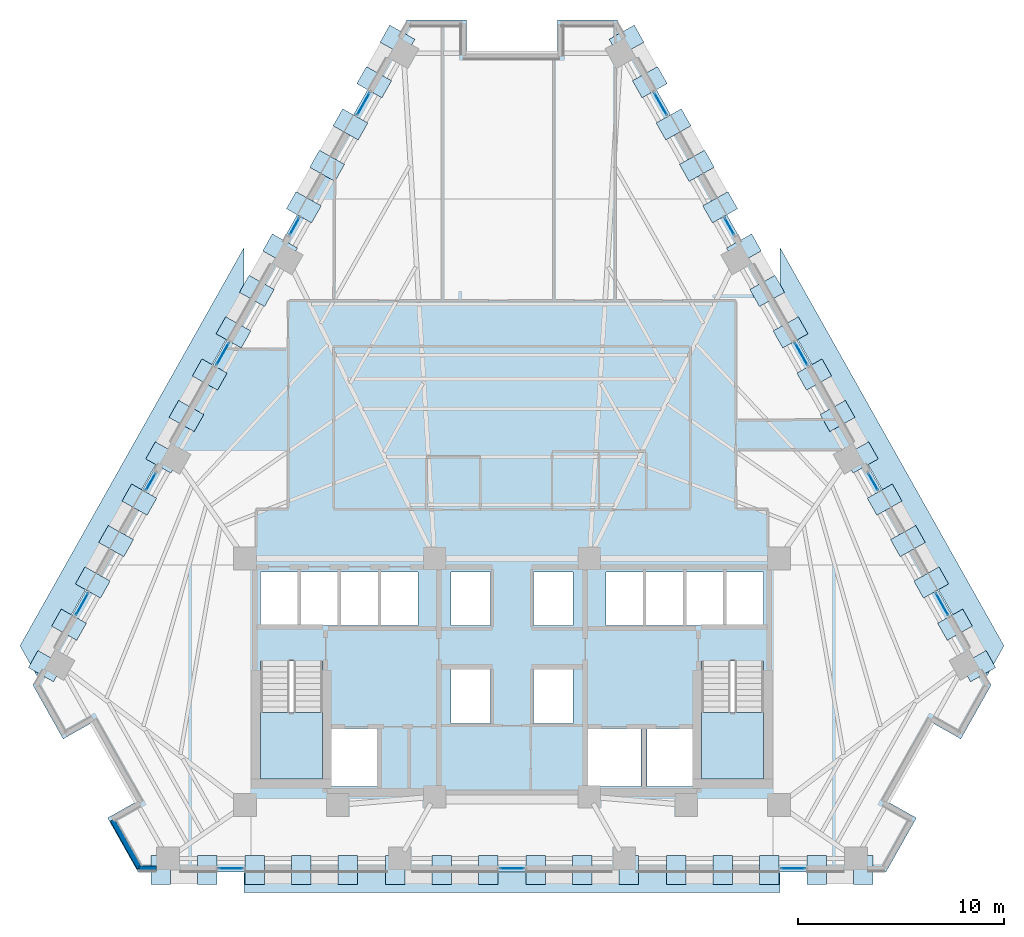
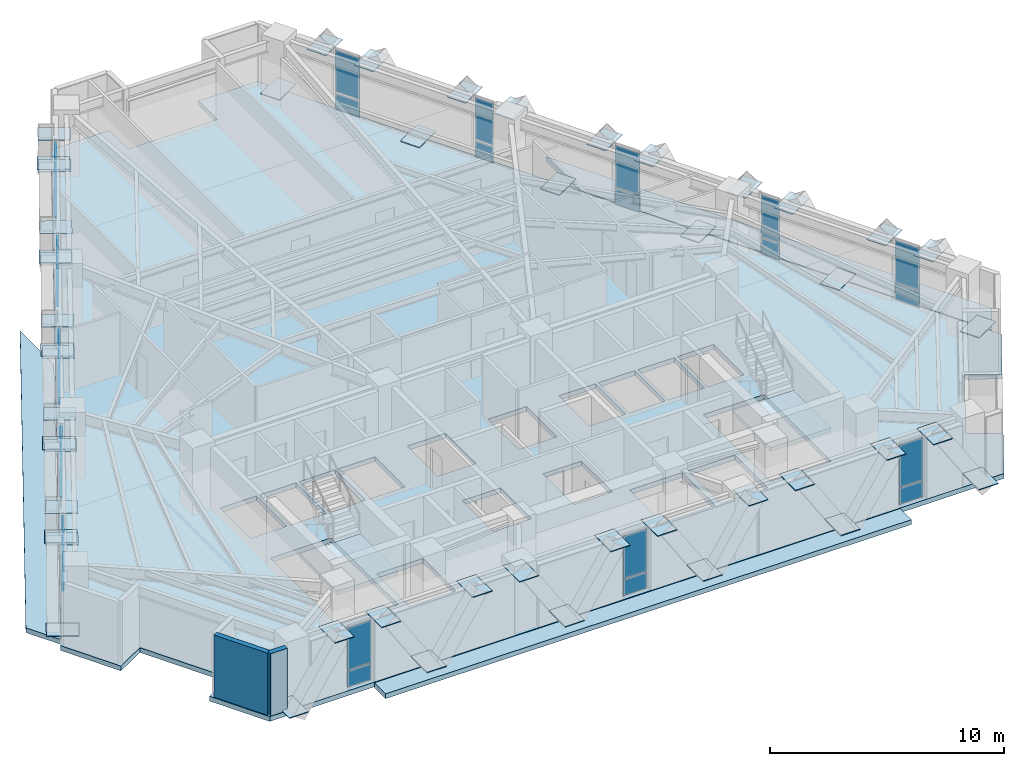
# One storey, part 6 of 13: 74 plates, 6 slabs, 2 walls, 15 elements without a shape of their own.
"""IFC4 building model written with IfcOpenShell, lengths in metres."""

from ifc_helpers import new_model, si_unit, direction, frame, frame_2d, origin, origin_2d, place, context, subcontext, project, spatial, polyline, rectangle, outline, extrude, material, layer, layer_set, type_object, element, aggregate, save


model = new_model("IFC4")

# Units and contexts
model_context = context("Model", 3, precision=1e-05, world=origin(), true_north=direction((0.0, 1.0)))
body_context = subcontext(model_context, "Body", "Model", "MODEL_VIEW")
ifc_project = project(units=[si_unit("LENGTHUNIT", "METRE"), si_unit("AREAUNIT", "SQUARE_METRE"), si_unit("VOLUMEUNIT", "CUBIC_METRE"), si_unit("PLANEANGLEUNIT", "RADIAN"), si_unit("MASSUNIT", "GRAM", prefix="KILO")], contexts=[model_context])

# Site, building, storey
site_placement = place(None, origin())
site = spatial("IfcSite", under=ifc_project, at=site_placement, CompositionType="ELEMENT")
building_placement = place(site_placement, origin())
building = spatial("IfcBuilding", under=site, at=building_placement, Name="Quenlor Broadcast Tower", CompositionType="ELEMENT")
storey_placement = place(building_placement, frame((0.0, 0.0, 76.60009765625)))
storey = spatial("IfcBuildingStorey", under=building, at=storey_placement, Name="L20", CompositionType="ELEMENT", Elevation=76.60009765625)

# Curtain wall, plates
ifc_material_1 = material(Name="Architectural Terracotta and Low-E Glazing", Category="masonry")
curtain_wall_type = type_object("IfcCurtainWallType", Name="Unitised Terracotta Curtain Wall System Z2", PredefinedType="NOTDEFINED", material=ifc_material_1)
curtain_wall_1_placement = place(storey_placement, origin())
curtain_wall_1 = element("IfcCurtainWall", 1, at=curtain_wall_1_placement, inside=storey, type_object=curtain_wall_type, Name="L20 Curtain Wall CW2 (L20-SA-G1)", PredefinedType="NOTDEFINED")
ifc_material_2 = material(Name="Double Glazed Low-E Solar Glass", Category="glass")
ifc_layer_1 = layer(ifc_material_2, 0.030029296875)
ifc_layer_set_1 = layer_set([ifc_layer_1], Name="CW2 Double Glazed Vision Panel 30")
plate_type_1 = type_object("IfcPlateType", Name="CW2 Double Glazed Vision Panel 30", PredefinedType="CURTAIN_PANEL", material=ifc_layer_set_1)
plate_1_placement = place(storey_placement, frame((13.63525390625, -19.840087890625, 0.074951171875), z_axis=(0.0, 0.0, 1.0), x_axis=(-1.0, 0.0, 0.0)))
plate_1 = element("IfcPlate", 2, at=plate_1_placement, type_object=plate_type_1, Name="CW2 panel 1.1", PredefinedType="CURTAIN_PANEL", context=body_context, shape_type="SweptSolid", body=[
    extrude(rectangle(XDim=1.1630859375, YDim=0.030029296875, at=origin_2d()), origin(), (0.0, 0.0, 1.0), 0.83740234375),
])
plate_2_placement = place(storey_placement, frame((13.63525390625, -19.840087890625, 0.9873046875), z_axis=(0.0, 0.0, 1.0), x_axis=(-1.0, 0.0, 0.0)))
plate_2 = element("IfcPlate", 3, at=plate_2_placement, type_object=plate_type_1, Name="CW2 panel 1.2", PredefinedType="CURTAIN_PANEL", context=body_context, shape_type="SweptSolid", body=[
    extrude(rectangle(XDim=1.1630859375, YDim=0.030029296875, at=origin_2d()), origin(), (0.0, 0.0, 1.0), 2.1875),
])
aggregate(curtain_wall_1, [plate_1, plate_2])

curtain_wall_2_placement = place(storey_placement, origin())
curtain_wall_2 = element("IfcCurtainWall", 4, at=curtain_wall_2_placement, inside=storey, type_object=curtain_wall_type, Name="L20 Curtain Wall CW2 (L20-SC-G1)", PredefinedType="NOTDEFINED")
plate_3_placement = place(storey_placement, frame((-13.63525390625, -19.840087890625, 0.074951171875), z_axis=(0.0, 0.0, 1.0), x_axis=(-1.0, 0.0, 0.0)))
plate_3 = element("IfcPlate", 5, at=plate_3_placement, type_object=plate_type_1, Name="CW2 panel 1.1", PredefinedType="CURTAIN_PANEL", context=body_context, shape_type="SweptSolid", body=[
    extrude(rectangle(XDim=1.1630859375, YDim=0.030029296875, at=origin_2d()), origin(), (0.0, 0.0, 1.0), 0.83740234375),
])
plate_4_placement = place(storey_placement, frame((-13.63525390625, -19.840087890625, 0.9873046875), z_axis=(0.0, 0.0, 1.0), x_axis=(-1.0, 0.0, 0.0)))
plate_4 = element("IfcPlate", 6, at=plate_4_placement, type_object=plate_type_1, Name="CW2 panel 1.2", PredefinedType="CURTAIN_PANEL", context=body_context, shape_type="SweptSolid", body=[
    extrude(rectangle(XDim=1.1630859375, YDim=0.030029296875, at=origin_2d()), origin(), (0.0, 0.0, 1.0), 2.1875),
])
aggregate(curtain_wall_2, [plate_3, plate_4])

curtain_wall_3_placement = place(storey_placement, origin())
curtain_wall_3 = element("IfcCurtainWall", 7, at=curtain_wall_3_placement, inside=storey, type_object=curtain_wall_type, Name="L20 Curtain Wall CW2 (L20-S-G1)", PredefinedType="NOTDEFINED")
plate_5_placement = place(storey_placement, frame((0.0, -19.840087890625, 0.074951171875), z_axis=(0.0, 0.0, 1.0), x_axis=(-1.0, 0.0, 0.0)))
plate_5 = element("IfcPlate", 8, at=plate_5_placement, type_object=plate_type_1, Name="CW2 panel 1.1", PredefinedType="CURTAIN_PANEL", context=body_context, shape_type="SweptSolid", body=[
    extrude(rectangle(XDim=1.1630859375, YDim=0.030029296875, at=origin_2d()), origin(), (0.0, 0.0, 1.0), 0.83740234375),
])
plate_6_placement = place(storey_placement, frame((0.0, -19.840087890625, 0.9873046875), z_axis=(0.0, 0.0, 1.0), x_axis=(-1.0, 0.0, 0.0)))
plate_6 = element("IfcPlate", 9, at=plate_6_placement, type_object=plate_type_1, Name="CW2 panel 1.2", PredefinedType="CURTAIN_PANEL", context=body_context, shape_type="SweptSolid", body=[
    extrude(rectangle(XDim=1.1630859375, YDim=0.030029296875, at=origin_2d()), origin(), (0.0, 0.0, 1.0), 2.1875),
])
aggregate(curtain_wall_3, [plate_5, plate_6])

curtain_wall_4_placement = place(storey_placement, origin())
curtain_wall_4 = element("IfcCurtainWall", 10, at=curtain_wall_4_placement, inside=storey, type_object=curtain_wall_type, Name="L20 Curtain Wall CW2 (L20-NEA-G1)", PredefinedType="NOTDEFINED")
plate_7_placement = place(storey_placement, frame((7.209228515625, 17.257080078125, 0.074951171875), z_axis=(0.0, 0.0, 1.0), x_axis=(0.490247320704, -0.871583366376, 0.0)))
plate_7 = element("IfcPlate", 11, at=plate_7_placement, type_object=plate_type_1, Name="CW2 panel 1.1", PredefinedType="CURTAIN_PANEL", context=body_context, shape_type="SweptSolid", body=[
    extrude(rectangle(XDim=1.21435546875, YDim=0.030029296875, at=origin_2d()), origin(), (0.0, 0.0, 1.0), 0.83740234375),
])
plate_8_placement = place(storey_placement, frame((7.209228515625, 17.257080078125, 0.9873046875), z_axis=(0.0, 0.0, 1.0), x_axis=(0.490247320704, -0.871583366376, 0.0)))
plate_8 = element("IfcPlate", 12, at=plate_8_placement, type_object=plate_type_1, Name="CW2 panel 1.2", PredefinedType="CURTAIN_PANEL", context=body_context, shape_type="SweptSolid", body=[
    extrude(rectangle(XDim=1.21435546875, YDim=0.030029296875, at=origin_2d()), origin(), (0.0, 0.0, 1.0), 2.1875),
])
aggregate(curtain_wall_4, [plate_7, plate_8])

curtain_wall_5_placement = place(storey_placement, origin())
curtain_wall_5 = element("IfcCurtainWall", 13, at=curtain_wall_5_placement, inside=storey, type_object=curtain_wall_type, Name="L20 Curtain Wall CW2 (L20-NEA-G2)", PredefinedType="NOTDEFINED")
plate_9_placement = place(storey_placement, frame((10.54736328125, 11.322998046875, 0.074951171875), z_axis=(0.0, 0.0, 1.0), x_axis=(0.490252261371, -0.871580587336, 0.0)))
plate_9 = element("IfcPlate", 14, at=plate_9_placement, type_object=plate_type_1, Name="CW2 panel 1.1", PredefinedType="CURTAIN_PANEL", context=body_context, shape_type="SweptSolid", body=[
    extrude(rectangle(XDim=0.90771484375, YDim=0.030029296875, at=origin_2d()), origin(), (0.0, 0.0, 1.0), 0.83740234375),
])
plate_10_placement = place(storey_placement, frame((10.54736328125, 11.322998046875, 0.9873046875), z_axis=(0.0, 0.0, 1.0), x_axis=(0.490252261371, -0.871580587336, 0.0)))
plate_10 = element("IfcPlate", 15, at=plate_10_placement, type_object=plate_type_1, Name="CW2 panel 1.2", PredefinedType="CURTAIN_PANEL", context=body_context, shape_type="SweptSolid", body=[
    extrude(rectangle(XDim=0.90771484375, YDim=0.030029296875, at=origin_2d()), origin(), (0.0, 0.0, 1.0), 2.1875),
])
aggregate(curtain_wall_5, [plate_9, plate_10])

curtain_wall_6_placement = place(storey_placement, origin())
curtain_wall_6 = element("IfcCurtainWall", 16, at=curtain_wall_6_placement, inside=storey, type_object=curtain_wall_type, Name="L20 Curtain Wall CW2 (L20-NEC-G1)", PredefinedType="NOTDEFINED")
plate_11_placement = place(storey_placement, frame((17.523681640625, -1.079833984375, 0.074951171875), z_axis=(0.0, 0.0, 1.0), x_axis=(0.490252261371, -0.871580587336, 0.0)))
plate_11 = element("IfcPlate", 17, at=plate_11_placement, type_object=plate_type_1, Name="CW2 panel 1.1", PredefinedType="CURTAIN_PANEL", context=body_context, shape_type="SweptSolid", body=[
    extrude(rectangle(XDim=0.90771484375, YDim=0.030029296875, at=origin_2d()), origin(), (0.0, 0.0, 1.0), 0.83740234375),
])
plate_12_placement = place(storey_placement, frame((17.523681640625, -1.079833984375, 0.9873046875), z_axis=(0.0, 0.0, 1.0), x_axis=(0.490252261371, -0.871580587336, 0.0)))
plate_12 = element("IfcPlate", 18, at=plate_12_placement, type_object=plate_type_1, Name="CW2 panel 1.2", PredefinedType="CURTAIN_PANEL", context=body_context, shape_type="SweptSolid", body=[
    extrude(rectangle(XDim=0.90771484375, YDim=0.030029296875, at=origin_2d()), origin(), (0.0, 0.0, 1.0), 2.1875),
])
aggregate(curtain_wall_6, [plate_11, plate_12])

curtain_wall_7_placement = place(storey_placement, origin())
curtain_wall_7 = element("IfcCurtainWall", 19, at=curtain_wall_7_placement, inside=storey, type_object=curtain_wall_type, Name="L20 Curtain Wall CW2 (L20-NEC-G2)", PredefinedType="NOTDEFINED")
plate_13_placement = place(storey_placement, frame((20.861572265625, -7.013916015625, 0.074951171875), z_axis=(0.0, 0.0, 1.0), x_axis=(0.490278639232, -0.871565749621, 0.0)))
plate_13 = element("IfcPlate", 20, at=plate_13_placement, type_object=plate_type_1, Name="CW2 panel 1.1", PredefinedType="CURTAIN_PANEL", context=body_context, shape_type="SweptSolid", body=[
    extrude(rectangle(XDim=1.21435546875, YDim=0.030029296875, at=origin_2d()), origin(), (0.0, 0.0, 1.0), 0.83740234375),
])
plate_14_placement = place(storey_placement, frame((20.861572265625, -7.013916015625, 0.9873046875), z_axis=(0.0, 0.0, 1.0), x_axis=(0.490278639232, -0.871565749621, 0.0)))
plate_14 = element("IfcPlate", 21, at=plate_14_placement, type_object=plate_type_1, Name="CW2 panel 1.2", PredefinedType="CURTAIN_PANEL", context=body_context, shape_type="SweptSolid", body=[
    extrude(rectangle(XDim=1.21435546875, YDim=0.030029296875, at=origin_2d()), origin(), (0.0, 0.0, 1.0), 2.1875),
])
aggregate(curtain_wall_7, [plate_13, plate_14])

curtain_wall_8_placement = place(storey_placement, origin())
curtain_wall_8 = element("IfcCurtainWall", 22, at=curtain_wall_8_placement, inside=storey, type_object=curtain_wall_type, Name="L20 Curtain Wall CW2 (L20-NE-G1)", PredefinedType="NOTDEFINED")
plate_15_placement = place(storey_placement, frame((14.035400390625, 5.12158203125, 0.074951171875), z_axis=(0.0, 0.0, 1.0), x_axis=(0.490254279037, -0.871579452423, 0.0)))
plate_15 = element("IfcPlate", 23, at=plate_15_placement, type_object=plate_type_1, Name="CW2 panel 1.1", PredefinedType="CURTAIN_PANEL", context=body_context, shape_type="SweptSolid", body=[
    extrude(rectangle(XDim=1.214111328125, YDim=0.030029296875, at=origin_2d()), origin(), (0.0, 0.0, 1.0), 0.83740234375),
])
plate_16_placement = place(storey_placement, frame((14.035400390625, 5.12158203125, 0.9873046875), z_axis=(0.0, 0.0, 1.0), x_axis=(0.490254279037, -0.871579452423, 0.0)))
plate_16 = element("IfcPlate", 24, at=plate_16_placement, type_object=plate_type_1, Name="CW2 panel 1.2", PredefinedType="CURTAIN_PANEL", context=body_context, shape_type="SweptSolid", body=[
    extrude(rectangle(XDim=1.214111328125, YDim=0.030029296875, at=origin_2d()), origin(), (0.0, 0.0, 1.0), 2.1875),
])
aggregate(curtain_wall_8, [plate_15, plate_16])

curtain_wall_9_placement = place(storey_placement, origin())
curtain_wall_9 = element("IfcCurtainWall", 25, at=curtain_wall_9_placement, inside=storey, type_object=curtain_wall_type, Name="L20 Curtain Wall CW2 (L20-NWA-G1)", PredefinedType="NOTDEFINED")
plate_17_placement = place(storey_placement, frame((-20.861572265625, -7.013916015625, 0.074951171875), z_axis=(0.0, 0.0, 1.0), x_axis=(0.490278639232, 0.871565749621, 0.0)))
plate_17 = element("IfcPlate", 26, at=plate_17_placement, type_object=plate_type_1, Name="CW2 panel 1.1", PredefinedType="CURTAIN_PANEL", context=body_context, shape_type="SweptSolid", body=[
    extrude(rectangle(XDim=1.21435546875, YDim=0.030029296875, at=origin_2d()), origin(), (0.0, 0.0, 1.0), 0.83740234375),
])
plate_18_placement = place(storey_placement, frame((-20.861572265625, -7.013916015625, 0.9873046875), z_axis=(0.0, 0.0, 1.0), x_axis=(0.490278639232, 0.871565749621, 0.0)))
plate_18 = element("IfcPlate", 27, at=plate_18_placement, type_object=plate_type_1, Name="CW2 panel 1.2", PredefinedType="CURTAIN_PANEL", context=body_context, shape_type="SweptSolid", body=[
    extrude(rectangle(XDim=1.21435546875, YDim=0.030029296875, at=origin_2d()), origin(), (0.0, 0.0, 1.0), 2.1875),
])
aggregate(curtain_wall_9, [plate_17, plate_18])

curtain_wall_10_placement = place(storey_placement, origin())
curtain_wall_10 = element("IfcCurtainWall", 28, at=curtain_wall_10_placement, inside=storey, type_object=curtain_wall_type, Name="L20 Curtain Wall CW2 (L20-NWA-G2)", PredefinedType="NOTDEFINED")
plate_19_placement = place(storey_placement, frame((-17.523681640625, -1.079833984375, 0.074951171875), z_axis=(0.0, 0.0, 1.0), x_axis=(0.490252261371, 0.871580587336, 0.0)))
plate_19 = element("IfcPlate", 29, at=plate_19_placement, type_object=plate_type_1, Name="CW2 panel 1.1", PredefinedType="CURTAIN_PANEL", context=body_context, shape_type="SweptSolid", body=[
    extrude(rectangle(XDim=0.90771484375, YDim=0.030029296875, at=origin_2d()), origin(), (0.0, 0.0, 1.0), 0.83740234375),
])
plate_20_placement = place(storey_placement, frame((-17.523681640625, -1.079833984375, 0.9873046875), z_axis=(0.0, 0.0, 1.0), x_axis=(0.490252261371, 0.871580587336, 0.0)))
plate_20 = element("IfcPlate", 30, at=plate_20_placement, type_object=plate_type_1, Name="CW2 panel 1.2", PredefinedType="CURTAIN_PANEL", context=body_context, shape_type="SweptSolid", body=[
    extrude(rectangle(XDim=0.90771484375, YDim=0.030029296875, at=origin_2d()), origin(), (0.0, 0.0, 1.0), 2.1875),
])
aggregate(curtain_wall_10, [plate_19, plate_20])

curtain_wall_11_placement = place(storey_placement, origin())
curtain_wall_11 = element("IfcCurtainWall", 31, at=curtain_wall_11_placement, inside=storey, type_object=curtain_wall_type, Name="L20 Curtain Wall CW2 (L20-NWC-G1)", PredefinedType="NOTDEFINED")
plate_21_placement = place(storey_placement, frame((-10.54736328125, 11.322998046875, 0.074951171875), z_axis=(0.0, 0.0, 1.0), x_axis=(0.490252261371, 0.871580587336, 0.0)))
plate_21 = element("IfcPlate", 32, at=plate_21_placement, type_object=plate_type_1, Name="CW2 panel 1.1", PredefinedType="CURTAIN_PANEL", context=body_context, shape_type="SweptSolid", body=[
    extrude(rectangle(XDim=0.90771484375, YDim=0.030029296875, at=origin_2d()), origin(), (0.0, 0.0, 1.0), 0.83740234375),
])
plate_22_placement = place(storey_placement, frame((-10.54736328125, 11.322998046875, 0.9873046875), z_axis=(0.0, 0.0, 1.0), x_axis=(0.490252261371, 0.871580587336, 0.0)))
plate_22 = element("IfcPlate", 33, at=plate_22_placement, type_object=plate_type_1, Name="CW2 panel 1.2", PredefinedType="CURTAIN_PANEL", context=body_context, shape_type="SweptSolid", body=[
    extrude(rectangle(XDim=0.90771484375, YDim=0.030029296875, at=origin_2d()), origin(), (0.0, 0.0, 1.0), 2.1875),
])
aggregate(curtain_wall_11, [plate_21, plate_22])

curtain_wall_12_placement = place(storey_placement, origin())
curtain_wall_12 = element("IfcCurtainWall", 34, at=curtain_wall_12_placement, inside=storey, type_object=curtain_wall_type, Name="L20 Curtain Wall CW2 (L20-NWC-G2)", PredefinedType="NOTDEFINED")
plate_23_placement = place(storey_placement, frame((-7.209228515625, 17.257080078125, 0.074951171875), z_axis=(0.0, 0.0, 1.0), x_axis=(0.490247320704, 0.871583366376, 0.0)))
plate_23 = element("IfcPlate", 35, at=plate_23_placement, type_object=plate_type_1, Name="CW2 panel 1.1", PredefinedType="CURTAIN_PANEL", context=body_context, shape_type="SweptSolid", body=[
    extrude(rectangle(XDim=1.21435546875, YDim=0.030029296875, at=origin_2d()), origin(), (0.0, 0.0, 1.0), 0.83740234375),
])
plate_24_placement = place(storey_placement, frame((-7.209228515625, 17.257080078125, 0.9873046875), z_axis=(0.0, 0.0, 1.0), x_axis=(0.490247320704, 0.871583366376, 0.0)))
plate_24 = element("IfcPlate", 36, at=plate_24_placement, type_object=plate_type_1, Name="CW2 panel 1.2", PredefinedType="CURTAIN_PANEL", context=body_context, shape_type="SweptSolid", body=[
    extrude(rectangle(XDim=1.21435546875, YDim=0.030029296875, at=origin_2d()), origin(), (0.0, 0.0, 1.0), 2.1875),
])
aggregate(curtain_wall_12, [plate_23, plate_24])

curtain_wall_13_placement = place(storey_placement, origin())
curtain_wall_13 = element("IfcCurtainWall", 37, at=curtain_wall_13_placement, inside=storey, type_object=curtain_wall_type, Name="L20 Curtain Wall CW2 (L20-NW-G1)", PredefinedType="NOTDEFINED")
plate_25_placement = place(storey_placement, frame((-14.035400390625, 5.12158203125, 0.074951171875), z_axis=(0.0, 0.0, 1.0), x_axis=(0.490254279037, 0.871579452423, 0.0)))
plate_25 = element("IfcPlate", 38, at=plate_25_placement, type_object=plate_type_1, Name="CW2 panel 1.1", PredefinedType="CURTAIN_PANEL", context=body_context, shape_type="SweptSolid", body=[
    extrude(rectangle(XDim=1.214111328125, YDim=0.030029296875, at=origin_2d()), origin(), (0.0, 0.0, 1.0), 0.83740234375),
])
plate_26_placement = place(storey_placement, frame((-14.035400390625, 5.12158203125, 0.9873046875), z_axis=(0.0, 0.0, 1.0), x_axis=(0.490254279037, 0.871579452423, 0.0)))
plate_26 = element("IfcPlate", 39, at=plate_26_placement, type_object=plate_type_1, Name="CW2 panel 1.2", PredefinedType="CURTAIN_PANEL", context=body_context, shape_type="SweptSolid", body=[
    extrude(rectangle(XDim=1.214111328125, YDim=0.030029296875, at=origin_2d()), origin(), (0.0, 0.0, 1.0), 2.1875),
])
aggregate(curtain_wall_13, [plate_25, plate_26])

# Stair, slab
ifc_material_3 = material(Name="Precast concrete C40/50", Category="concrete")
stair_type = type_object("IfcStairType", Name="Precast Concrete C40/50 Dogleg Stair H350", PredefinedType="HALF_TURN_STAIR", material=ifc_material_3)
stair_1_placement = place(storey_placement, origin())
stair_1 = element("IfcStair", 40, at=stair_1_placement, inside=storey, type_object=stair_type, Name="L20 West Core Fire-Isolated Exit Stair ST-1", PredefinedType="HALF_TURN_STAIR")
ifc_material_4 = material(Name="Precast concrete C40/50", Category="concrete")
ifc_layer_2 = layer(ifc_material_4, 0.199951171875)
ifc_layer_set_2 = layer_set([ifc_layer_2], Name="Precast Concrete C40/50 Stair Landing Slab 200")
slab_type_1 = type_object("IfcSlabType", Name="Precast Concrete C40/50 Stair Landing Slab 200", PredefinedType="LANDING", material=ifc_layer_set_2)
slab_1_placement = place(storey_placement, frame((0.0, 0.0, 1.5498046875)))
slab_1 = element("IfcSlab", 41, at=slab_1_placement, type_object=slab_type_1, Name="ST-1 landing 1", PredefinedType="LANDING", context=body_context, shape_type="SweptSolid", body=[
    extrude(outline(polyline([(-12.199951171875, -12.27001953125), (-12.199951171875, -15.5), (-9.199951171875, -15.5), (-9.199951171875, -12.27001953125), (-12.199951171875, -12.27001953125)])), origin(), (0.0, 0.0, 1.0), 0.2001953125),
])
aggregate(stair_1, [slab_1])

stair_2_placement = place(storey_placement, origin())
stair_2 = element("IfcStair", 42, at=stair_2_placement, inside=storey, type_object=stair_type, Name="L20 East Core Fire-Isolated Exit Stair ST-2", PredefinedType="HALF_TURN_STAIR")
slab_2_placement = place(storey_placement, frame((0.0, 0.0, 1.5498046875)))
slab_2 = element("IfcSlab", 43, at=slab_2_placement, type_object=slab_type_1, Name="ST-2 landing 1", PredefinedType="LANDING", context=body_context, shape_type="SweptSolid", body=[
    extrude(outline(polyline([(9.199951171875, -12.27001953125), (9.199951171875, -15.5), (12.199951171875, -15.5), (12.199951171875, -12.27001953125), (9.199951171875, -12.27001953125)])), origin(), (0.0, 0.0, 1.0), 0.2001953125),
])
aggregate(stair_2, [slab_2])

# Slabs
ifc_material_5 = material(Name="Concrete C40/50", Category="concrete")
ifc_layer_3 = layer(ifc_material_5, 0.25)
ifc_layer_set_3 = layer_set([ifc_layer_3], Name="Tower Composite Concrete C40/50 Slab 250")
slab_type_2 = type_object("IfcSlabType", Name="Tower Composite Concrete C40/50 Slab 250", PredefinedType="FLOOR", material=ifc_layer_set_3)
slab_3_placement = place(storey_placement, frame((0.0, 0.0, -0.25)))
element("IfcSlab", 44, at=slab_3_placement, inside=storey, type_object=slab_type_2, Name="L20 Structural Floor Slab", PredefinedType="FLOOR", context=body_context, shape_type="SweptSolid", body=[
    extrude(outline(polyline([(18.14404296875, -20.0), (19.616943359375, -17.381591796875), (18.222412109375, -16.596923828125), (20.379638671875, -12.76220703125), (21.774169921875, -13.54638671875), (23.2470703125, -10.927978515625), (5.10302734375, 21.327880859375), (2.199951171875, 21.327880859375), (2.199951171875, 19.72802734375), (-2.199951171875, 19.72802734375), (-2.199951171875, 21.327880859375), (-5.10302734375, 21.327880859375), (-23.2470703125, -10.927978515625), (-21.774169921875, -13.54638671875), (-20.379638671875, -12.76220703125), (-18.222412109375, -16.596923828125), (-19.616943359375, -17.381591796875), (-18.14404296875, -20.0), (18.14404296875, -20.0)]), holes=[polyline([(-12.199951171875, -9.758056640625), (-12.199951171875, -15.5), (-9.199951171875, -15.5), (-9.199951171875, -9.758056640625), (-12.199951171875, -9.758056640625)]), polyline([(9.199951171875, -9.758056640625), (9.199951171875, -15.5), (12.199951171875, -15.5), (12.199951171875, -9.758056640625), (9.199951171875, -9.758056640625)]), polyline([(-12.199951171875, -8.050048828125), (-10.39990234375, -8.050048828125), (-10.39990234375, -5.449951171875), (-12.199951171875, -5.449951171875), (-12.199951171875, -8.050048828125)]), polyline([(-10.25, -8.050048828125), (-8.449951171875, -8.050048828125), (-8.449951171875, -5.449951171875), (-10.25, -5.449951171875), (-10.25, -8.050048828125)]), polyline([(-8.300048828125, -8.050048828125), (-6.5, -8.050048828125), (-6.5, -5.449951171875), (-8.300048828125, -5.449951171875), (-8.300048828125, -8.050048828125)]), polyline([(-6.35009765625, -8.050048828125), (-4.550048828125, -8.050048828125), (-4.550048828125, -5.449951171875), (-6.35009765625, -5.449951171875), (-6.35009765625, -8.050048828125)]), polyline([(-2.949951171875, -8.050048828125), (-1.050048828125, -8.050048828125), (-1.050048828125, -5.449951171875), (-2.949951171875, -5.449951171875), (-2.949951171875, -8.050048828125)]), polyline([(1.050048828125, -8.050048828125), (2.949951171875, -8.050048828125), (2.949951171875, -5.449951171875), (1.050048828125, -5.449951171875), (1.050048828125, -8.050048828125)]), polyline([(-2.949951171875, -12.800048828125), (-1.050048828125, -12.800048828125), (-1.050048828125, -10.14990234375), (-2.949951171875, -10.14990234375), (-2.949951171875, -12.800048828125)]), polyline([(1.050048828125, -12.800048828125), (2.949951171875, -12.800048828125), (2.949951171875, -10.14990234375), (1.050048828125, -10.14990234375), (1.050048828125, -12.800048828125)]), polyline([(4.550048828125, -8.050048828125), (6.35009765625, -8.050048828125), (6.35009765625, -5.449951171875), (4.550048828125, -5.449951171875), (4.550048828125, -8.050048828125)]), polyline([(6.5, -8.050048828125), (8.300048828125, -8.050048828125), (8.300048828125, -5.449951171875), (6.5, -5.449951171875), (6.5, -8.050048828125)]), polyline([(8.449951171875, -8.050048828125), (10.25, -8.050048828125), (10.25, -5.449951171875), (8.449951171875, -5.449951171875), (8.449951171875, -8.050048828125)]), polyline([(10.39990234375, -8.050048828125), (12.199951171875, -8.050048828125), (12.199951171875, -5.449951171875), (10.39990234375, -5.449951171875), (10.39990234375, -8.050048828125)]), polyline([(-8.85009765625, -15.85009765625), (-6.550048828125, -15.85009765625), (-6.550048828125, -13.050048828125), (-8.85009765625, -13.050048828125), (-8.85009765625, -15.85009765625)]), polyline([(6.550048828125, -15.85009765625), (8.85009765625, -15.85009765625), (8.85009765625, -13.050048828125), (6.550048828125, -13.050048828125), (6.550048828125, -15.85009765625)]), polyline([(3.64990234375, -15.85009765625), (6.25, -15.85009765625), (6.25, -13.050048828125), (3.64990234375, -13.050048828125), (3.64990234375, -15.85009765625)])]), origin(), (0.0, 0.0, 1.0), 0.25),
])
ifc_material_6 = material(Name="Concrete C40/50", Category="concrete")
ifc_layer_4 = layer(ifc_material_6, 0.25)
ifc_layer_set_4 = layer_set([ifc_layer_4], Name="Tower Setback Weatherproof Concrete C40/50 Roof Slab 250")
slab_type_3 = type_object("IfcSlabType", Name="Tower Setback Weatherproof Concrete C40/50 Roof Slab 250", PredefinedType="ROOF", material=ifc_layer_set_4)
slab_4_placement = place(storey_placement, frame((0.0, 0.0, -0.25)))
element("IfcSlab", 45, at=slab_4_placement, inside=storey, type_object=slab_type_3, Name="L20 Setback Weatherproof Roof Slab 1", PredefinedType="ROOF", context=body_context, shape_type="SweptSolid", body=[
    extrude(outline(polyline([(-13.0, 10.288818359375), (-13.0, 7.37060546875), (-23.047119140625, -10.4912109375), (-23.867919921875, -9.031982421875), (-13.0, 10.288818359375)])), origin(), (0.0, 0.0, 1.0), 0.25),
])
slab_5_placement = place(storey_placement, frame((0.0, 0.0, -0.25)))
element("IfcSlab", 46, at=slab_5_placement, inside=storey, type_object=slab_type_3, Name="L20 Setback Weatherproof Roof Slab 2", PredefinedType="ROOF", context=body_context, shape_type="SweptSolid", body=[
    extrude(outline(polyline([(23.867919921875, -9.031982421875), (23.047119140625, -10.4912109375), (13.0, 7.37060546875), (13.0, 10.288818359375), (23.867919921875, -9.031982421875)])), origin(), (0.0, 0.0, 1.0), 0.25),
])
slab_6_placement = place(storey_placement, frame((0.0, 0.0, -0.25)))
element("IfcSlab", 47, at=slab_6_placement, inside=storey, type_object=slab_type_3, Name="L20 Setback Weatherproof Roof Slab 3", PredefinedType="ROOF", context=body_context, shape_type="SweptSolid", body=[
    extrude(outline(polyline([(-13.0, -21.0), (-13.0, -20.0400390625), (13.0, -20.0400390625), (13.0, -21.0), (-13.0, -21.0)])), origin(), (0.0, 0.0, 1.0), 0.25),
])

# Plates
ifc_material_7 = material(Name="Steel S355", Category="steel")
ifc_layer_5 = layer(ifc_material_7, 0.035888671875)
ifc_layer_set_5 = layer_set([ifc_layer_5], Name="Transfer Truss Steel S355 Gusset Node Plate 1400x950x36")
plate_type_2 = type_object("IfcPlateType", Name="Transfer Truss Steel S355 Gusset Node Plate 1400x950x36", PredefinedType="SHEET", material=ifc_layer_set_5)
for number, where, z_axis, x_axis, name in (
    (48, (17.0439453125, -19.89990234375, 0.0419921875), (0.0, 0.0, 1.0), (0.0, -1.0, 0.0), "L20 Lattice Tie Gusset Node S-B0"),
    (49, (14.78515625, -19.89990234375, 3.18212890625), (0.0, 0.0, 1.0), (0.0, -1.0, 0.0), "L20 Lattice Tie Gusset Node S-T1"),
    (50, (10.226318359375, -19.89990234375, 0.0419921875), (0.0, 0.0, 1.0), (0.0, -1.0, 0.0), "L20 Lattice Tie Gusset Node S-B3"),
    (51, (12.4853515625, -19.89990234375, 3.18212890625), (0.0, 0.0, 1.0), (0.0, -1.0, 0.0), "L20 Lattice Tie Gusset Node S-T2"),
    (52, (7.967529296875, -19.89990234375, 3.18212890625), (0.0, 0.0, 1.0), (0.0, -1.0, 0.0), "L20 Lattice Tie Gusset Node S-T4"),
    (53, (3.40869140625, -19.89990234375, 0.0419921875), (0.0, 0.0, 1.0), (0.0, -1.0, 0.0), "L20 Lattice Tie Gusset Node S-B6"),
    (54, (5.667724609375, -19.89990234375, 3.18212890625), (0.0, 0.0, 1.0), (0.0, -1.0, 0.0), "L20 Lattice Tie Gusset Node S-T5"),
    (55, (1.14990234375, -19.89990234375, 3.18212890625), (0.0, 0.0, 1.0), (0.0, -1.0, 0.0), "L20 Lattice Tie Gusset Node S-T7"),
    (56, (-3.40869140625, -19.89990234375, 0.0419921875), (0.0, 0.0, 1.0), (0.0, -1.0, 0.0), "L20 Lattice Tie Gusset Node S-B9"),
    (57, (-1.14990234375, -19.89990234375, 3.18212890625), (0.0, 0.0, 1.0), (0.0, -1.0, 0.0), "L20 Lattice Tie Gusset Node S-T8"),
    (58, (-5.667724609375, -19.89990234375, 3.18212890625), (0.0, 0.0, 1.0), (0.0, -1.0, 0.0), "L20 Lattice Tie Gusset Node S-T10"),
    (59, (-10.226318359375, -19.89990234375, 0.0419921875), (0.0, 0.0, 1.0), (0.0, -1.0, 0.0), "L20 Lattice Tie Gusset Node S-B12"),
    (60, (-7.967529296875, -19.89990234375, 3.18212890625), (0.0, 0.0, 1.0), (0.0, -1.0, 0.0), "L20 Lattice Tie Gusset Node S-T11"),
    (61, (-12.4853515625, -19.89990234375, 3.18212890625), (0.0, 0.0, 1.0), (0.0, -1.0, 0.0), "L20 Lattice Tie Gusset Node S-T13"),
    (62, (-17.0439453125, -19.89990234375, 0.0419921875), (0.0, 0.0, 1.0), (0.0, -1.0, 0.0), "L20 Lattice Tie Gusset Node S-B15"),
    (63, (-14.78515625, -19.89990234375, 3.18212890625), (0.0, 0.0, 1.0), (0.0, -1.0, 0.0), "L20 Lattice Tie Gusset Node S-T14"),
    (64, (5.55517578125, 20.3203125, 0.0419921875), (0.0, 0.0, 1.0), (0.871556314255, 0.490295412055, 0.0), "L20 Lattice Tie Gusset Node NE-B0"),
    (65, (6.68603515625, 18.309814453125, 3.18212890625), (0.0, 0.0, 1.0), (0.871556314255, 0.490295412055, 0.0), "L20 Lattice Tie Gusset Node NE-T1"),
    (66, (8.96826171875, 14.252685546875, 0.0419921875), (0.0, 0.0, 1.0), (0.871556314255, 0.490295412055, 0.0), "L20 Lattice Tie Gusset Node NE-B3"),
    (67, (7.83740234375, 16.262939453125, 3.18212890625), (0.0, 0.0, 1.0), (0.871556314255, 0.490295412055, 0.0), "L20 Lattice Tie Gusset Node NE-T2"),
    (68, (10.09912109375, 12.2421875, 3.18212890625), (0.0, 0.0, 1.0), (0.871556314255, 0.490295412055, 0.0), "L20 Lattice Tie Gusset Node NE-T4"),
    (69, (12.38134765625, 8.184814453125, 0.0419921875), (0.0, 0.0, 1.0), (0.871556314255, 0.490295412055, 0.0), "L20 Lattice Tie Gusset Node NE-B6"),
    (70, (11.25048828125, 10.1953125, 3.18212890625), (0.0, 0.0, 1.0), (0.871556314255, 0.490295412055, 0.0), "L20 Lattice Tie Gusset Node NE-T5"),
    (71, (13.51220703125, 6.17431640625, 3.18212890625), (0.0, 0.0, 1.0), (0.871556314255, 0.490295412055, 0.0), "L20 Lattice Tie Gusset Node NE-T7"),
    (72, (15.794189453125, 2.1171875, 0.0419921875), (0.0, 0.0, 1.0), (0.871556314255, 0.490295412055, 0.0), "L20 Lattice Tie Gusset Node NE-B9"),
    (73, (14.66357421875, 4.127685546875, 3.18212890625), (0.0, 0.0, 1.0), (0.871556314255, 0.490295412055, 0.0), "L20 Lattice Tie Gusset Node NE-T8"),
    (74, (16.92529296875, 0.106689453125, 3.18212890625), (0.0, 0.0, 1.0), (0.871556314255, 0.490295412055, 0.0), "L20 Lattice Tie Gusset Node NE-T10"),
    (75, (19.20751953125, -3.950439453125, 0.0419921875), (0.0, 0.0, 1.0), (0.871556314255, 0.490295412055, 0.0), "L20 Lattice Tie Gusset Node NE-B12"),
    (76, (18.07666015625, -1.940185546875, 3.18212890625), (0.0, 0.0, 1.0), (0.871556314255, 0.490295412055, 0.0), "L20 Lattice Tie Gusset Node NE-T11"),
    (77, (20.33837890625, -5.9609375, 3.18212890625), (0.0, 0.0, 1.0), (0.871556314255, 0.490295412055, 0.0), "L20 Lattice Tie Gusset Node NE-T13"),
    (78, (22.62060546875, -10.018310546875, 0.0419921875), (0.0, 0.0, 1.0), (0.871556314255, 0.490295412055, 0.0), "L20 Lattice Tie Gusset Node NE-B15"),
    (79, (21.489501953125, -8.0078125, 3.18212890625), (0.0, 0.0, 1.0), (0.871556314255, 0.490295412055, 0.0), "L20 Lattice Tie Gusset Node NE-T14"),
    (80, (-22.62060546875, -10.018310546875, 0.0419921875), (0.0, 0.0, 1.0), (-0.871556314255, 0.490295412055, 0.0), "L20 Lattice Tie Gusset Node NW-B0"),
    (81, (-21.489501953125, -8.0078125, 3.18212890625), (0.0, 0.0, 1.0), (-0.871556314255, 0.490295412055, 0.0), "L20 Lattice Tie Gusset Node NW-T1"),
    (82, (-19.20751953125, -3.950439453125, 0.0419921875), (0.0, 0.0, 1.0), (-0.871556314255, 0.490295412055, 0.0), "L20 Lattice Tie Gusset Node NW-B3"),
    (83, (-20.33837890625, -5.9609375, 3.18212890625), (0.0, 0.0, 1.0), (-0.871556314255, 0.490295412055, 0.0), "L20 Lattice Tie Gusset Node NW-T2"),
    (84, (-18.07666015625, -1.940185546875, 3.18212890625), (0.0, 0.0, 1.0), (-0.871556314255, 0.490295412055, 0.0), "L20 Lattice Tie Gusset Node NW-T4"),
    (85, (-15.794189453125, 2.1171875, 0.0419921875), (0.0, 0.0, 1.0), (-0.871556314255, 0.490295412055, 0.0), "L20 Lattice Tie Gusset Node NW-B6"),
    (86, (-16.92529296875, 0.106689453125, 3.18212890625), (0.0, 0.0, 1.0), (-0.871556314255, 0.490295412055, 0.0), "L20 Lattice Tie Gusset Node NW-T5"),
    (87, (-14.66357421875, 4.127685546875, 3.18212890625), (0.0, 0.0, 1.0), (-0.871556314255, 0.490295412055, 0.0), "L20 Lattice Tie Gusset Node NW-T7"),
    (88, (-12.38134765625, 8.184814453125, 0.0419921875), (0.0, 0.0, 1.0), (-0.871556314255, 0.490295412055, 0.0), "L20 Lattice Tie Gusset Node NW-B9"),
    (89, (-13.51220703125, 6.17431640625, 3.18212890625), (0.0, 0.0, 1.0), (-0.871556314255, 0.490295412055, 0.0), "L20 Lattice Tie Gusset Node NW-T8"),
    (90, (-11.25048828125, 10.1953125, 3.18212890625), (0.0, 0.0, 1.0), (-0.871556314255, 0.490295412055, 0.0), "L20 Lattice Tie Gusset Node NW-T10"),
    (91, (-8.96826171875, 14.252685546875, 0.0419921875), (0.0, 0.0, 1.0), (-0.871556314255, 0.490295412055, 0.0), "L20 Lattice Tie Gusset Node NW-B12"),
    (92, (-10.09912109375, 12.2421875, 3.18212890625), (0.0, 0.0, 1.0), (-0.871556314255, 0.490295412055, 0.0), "L20 Lattice Tie Gusset Node NW-T11"),
    (93, (-7.83740234375, 16.262939453125, 3.18212890625), (0.0, 0.0, 1.0), (-0.871556314255, 0.490295412055, 0.0), "L20 Lattice Tie Gusset Node NW-T13"),
    (94, (-5.55517578125, 20.3203125, 0.0419921875), (0.0, 0.0, 1.0), (-0.871556314255, 0.490295412055, 0.0), "L20 Lattice Tie Gusset Node NW-B15"),
    (95, (-6.68603515625, 18.309814453125, 3.18212890625), (0.0, 0.0, 1.0), (-0.871556314255, 0.490295412055, 0.0), "L20 Lattice Tie Gusset Node NW-T14"),
):
    element("IfcPlate", number, at=place(storey_placement, frame(where, z_axis=z_axis, x_axis=x_axis)), inside=storey, type_object=plate_type_2, Name=name, PredefinedType="SHEET", context=body_context, shape_type="SweptSolid", body=[
        extrude(rectangle(XDim=1.39990234375, YDim=0.949951171875, at=origin_2d()), origin(), (0.0, 0.0, 1.0), 0.035888671875),
    ])

# Walls
ifc_material_8 = material(Name="Precast concrete C40/50", Category="concrete")
ifc_layer_6 = layer(ifc_material_8, 0.239990234375)
ifc_layer_set_6 = layer_set([ifc_layer_6], Name="Terrace Threshold Precast Concrete C40/50 Wall 240")
wall_type = type_object("IfcWallType", Name="Terrace Threshold Precast Concrete C40/50 Wall 240", PredefinedType="STANDARD", material=ifc_layer_set_6)
wall_1_placement = place(storey_placement, frame((-17.24755859375, -19.840087890625, 0.0), z_axis=(0.0, 0.0, 1.0), x_axis=(-1.0, 0.0, 0.0)))
element("IfcWall", 96, at=wall_1_placement, inside=storey, type_object=wall_type, Name="L20 Exterior Wall L20-SHD-SS1", PredefinedType="STANDARD", context=body_context, shape_type="SweptSolid", body=[
    extrude(rectangle(XDim=0.83642578125, YDim=0.239990234375, at=frame_2d((0.418212890625, 0.0))), origin(), (0.0, 0.0, 1.0), 3.25),
])
wall_2_placement = place(storey_placement, frame((-19.37939453125, -17.477294921875, 0.0), z_axis=(0.0, 0.0, 1.0), x_axis=(0.49023085981, -0.871592625078, 0.0)))
element("IfcWall", 97, at=wall_2_placement, inside=storey, type_object=wall_type, Name="L20 Exterior Wall L20-CNR-16", PredefinedType="STANDARD", context=body_context, shape_type="SweptSolid", body=[
    extrude(rectangle(XDim=2.6708984375, YDim=0.239990234375, at=frame_2d((1.33544921875, 0.0))), origin(), (0.0, 0.0, 1.0), 3.25),
])

save(model, "model.ifc")
